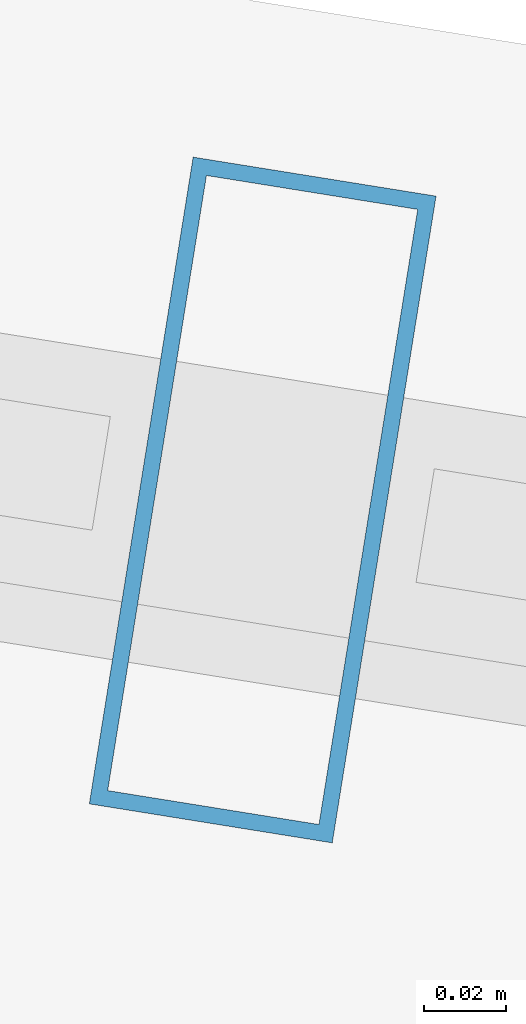
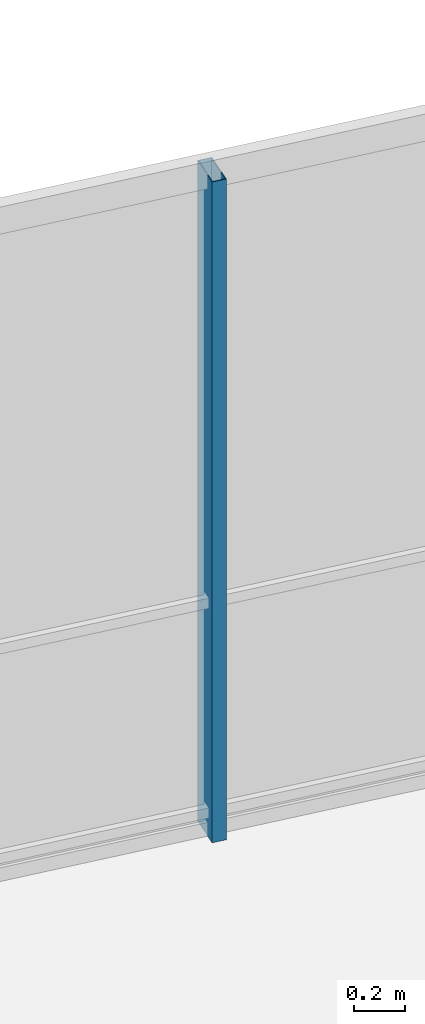
# One storey, part 21 of 31: 1 member, 1 element without a shape of its own.
"""IFC4 building model written with IfcOpenShell, lengths in metres."""

from ifc_helpers import new_model, si_unit, direction, frame, origin, origin_2d, place, context, subcontext, project, spatial, hollow_rectangle, extrude, material, layer, layer_set, material_profile, profile_set, type_object, element, aggregate, save


model = new_model("IFC4")

# Units and contexts
model_context = context("Model", 3, precision=1e-05, world=origin(), true_north=direction((0.0, 1.0)))
body_context = subcontext(model_context, "Body", "Model", "MODEL_VIEW")
ifc_project = project(units=[si_unit("LENGTHUNIT", "METRE"), si_unit("AREAUNIT", "SQUARE_METRE"), si_unit("VOLUMEUNIT", "CUBIC_METRE"), si_unit("PLANEANGLEUNIT", "RADIAN"), si_unit("MASSUNIT", "GRAM", prefix="KILO")], contexts=[model_context])

# Site, building, storey
site_placement = place(None, origin())
site = spatial("IfcSite", under=ifc_project, at=site_placement, CompositionType="ELEMENT")
building_placement = place(site_placement, origin())
building = spatial("IfcBuilding", under=site, at=building_placement, Name="Qarnah Convention Tower", CompositionType="ELEMENT")
storey_placement = place(building_placement, frame((0.0, 0.0, 33.89990234375)))
storey = spatial("IfcBuildingStorey", under=building, at=storey_placement, Name="L07", CompositionType="ELEMENT", Elevation=33.89990234375)

# Curtain wall, member
ifc_material_1 = material(Name="Tempered Low-E dark glass", Category="glass")
ifc_layer = layer(ifc_material_1, 0.16796875)
ifc_layer_set = layer_set([ifc_layer], Name="Tempered Low-E dark glass")
curtain_wall_type = type_object("IfcCurtainWallType", Name="CWS-01", PredefinedType="NOTDEFINED", material=ifc_layer_set)
curtain_wall_placement = place(storey_placement, origin())
curtain_wall = element("IfcCurtainWall", 1, at=curtain_wall_placement, inside=storey, type_object=curtain_wall_type, Name="L07 unitised curtain wall CW-L07-F1", PredefinedType="NOTDEFINED")
ifc_material_2 = material(Name="Black anodised aluminium", Category="aluminium")
ifc_material_profile = material_profile(ifc_material_2, hollow_rectangle(XDim=0.06005859375, YDim=0.159912109375, WallThickness=0.00390625, at=origin_2d()), Name="MUL-60X160")
ifc_profile_set = profile_set([ifc_material_profile], Name="Black anodised aluminium")
member_type = type_object("IfcMemberType", Name="MUL-T1", PredefinedType="MULLION", material=ifc_profile_set)
member_placement = place(storey_placement, frame((45.029296875, 44.3349609375, 0.0), z_axis=(0.0, 0.0, 1.0), x_axis=(0.987358613708, -0.15850226477, 0.0)))
member = element("IfcMember", 2, at=member_placement, type_object=member_type, Name="CW-L07-F1 mullion 4", PredefinedType="MULLION", context=body_context, shape_type="SweptSolid", body=[
    extrude(hollow_rectangle(XDim=0.06005859375, YDim=0.159912109375, WallThickness=0.00390625, at=origin_2d()), origin(), (0.0, 0.0, 1.0), 3.170166015625),
])
aggregate(curtain_wall, [member])

save(model, "model.ifc")
